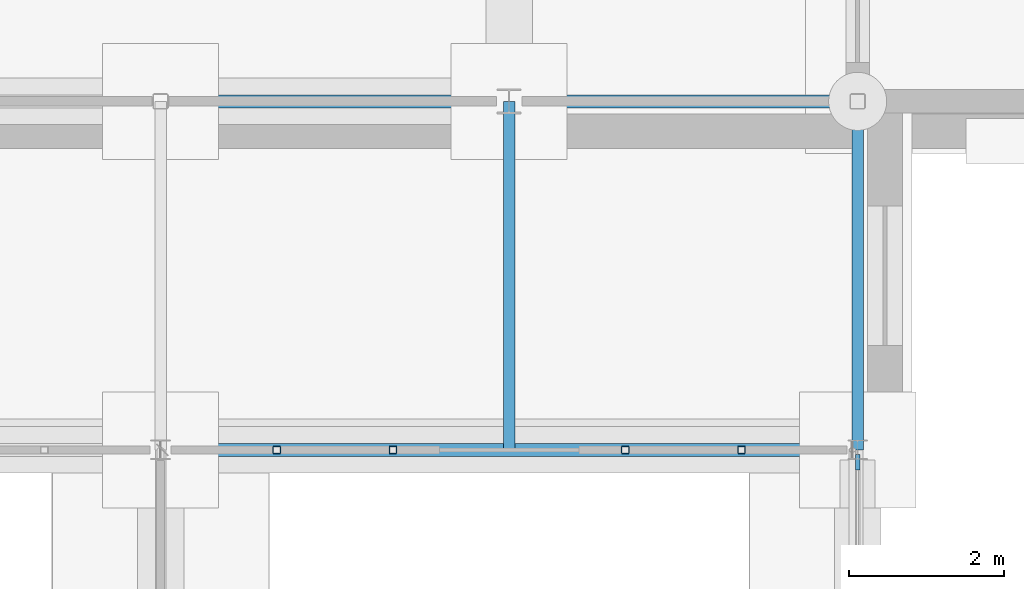
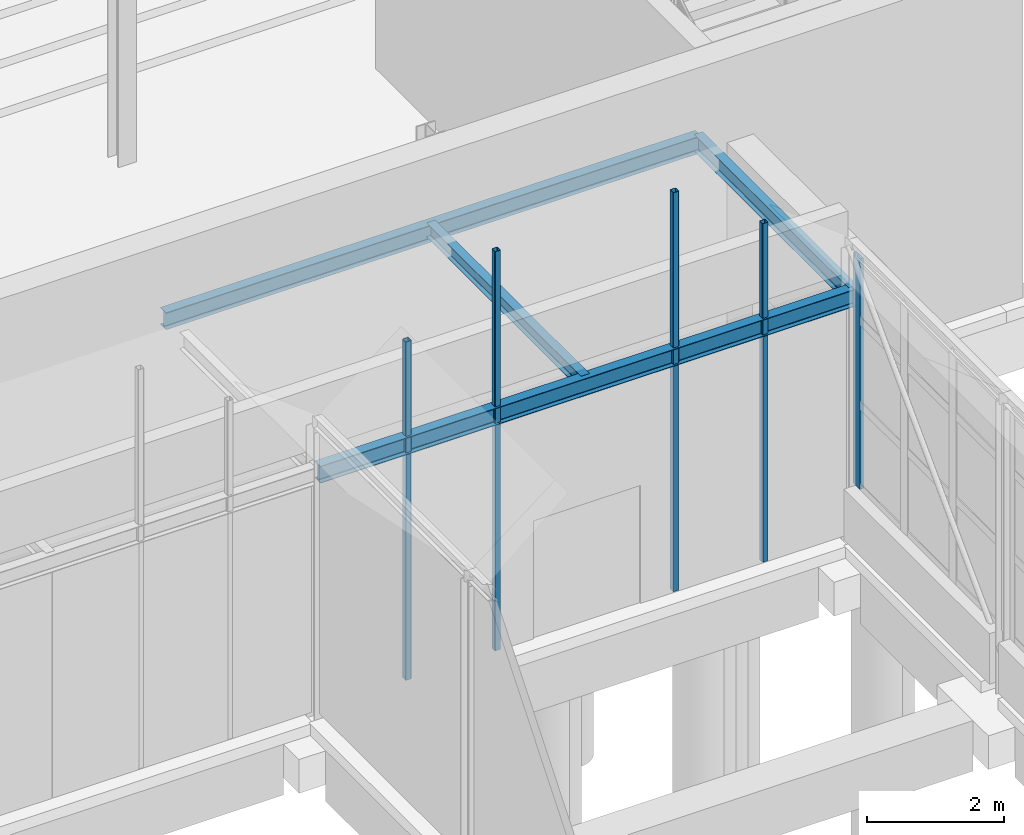
# One storey, part 53 of 106: 5 members, 4 beams, 1 element without a shape of its own.
"""IFC4 building model written with IfcOpenShell, lengths in metres."""

from ifc_helpers import new_model, si_unit, direction, frame, origin, origin_2d, place, context, subcontext, project, spatial, rectangle, hollow_rectangle, i_section, extrude, material, layer, layer_set, material_profile, profile_set, type_object, element, aggregate, save


model = new_model("IFC4")

# Units and contexts
model_context = context("Model", 3, precision=1e-05, world=origin(), true_north=direction((0.0, 1.0)))
body_context = subcontext(model_context, "Body", "Model", "MODEL_VIEW")
ifc_project = project(units=[si_unit("LENGTHUNIT", "METRE"), si_unit("AREAUNIT", "SQUARE_METRE"), si_unit("VOLUMEUNIT", "CUBIC_METRE"), si_unit("PLANEANGLEUNIT", "RADIAN"), si_unit("MASSUNIT", "GRAM", prefix="KILO")], contexts=[model_context])

# Site, building, storey
site_placement = place(None, origin())
site = spatial("IfcSite", under=ifc_project, at=site_placement, CompositionType="ELEMENT")
building_placement = place(site_placement, origin())
building = spatial("IfcBuilding", under=site, at=building_placement, Name="Hortulan Conservatory and Botanical Research Centre", CompositionType="ELEMENT")
storey_placement = place(building_placement, origin())
storey = spatial("IfcBuildingStorey", under=building, at=storey_placement, Name="L00", CompositionType="ELEMENT", Elevation=0.0)

# Curtain wall, member
ifc_material_1 = material(Name="Bronze-finished aluminium", Category="aluminium")
ifc_layer = layer(ifc_material_1, 0.10009765625)
ifc_layer_set = layer_set([ifc_layer], Name="Bronze-framed Curtain Wall 1500 module")
curtain_wall_type = type_object("IfcCurtainWallType", Name="Bronze-framed Curtain Wall 1500 module", PredefinedType="NOTDEFINED", material=ifc_layer_set)
curtain_wall_placement = place(storey_placement, origin())
curtain_wall = element("IfcCurtainWall", 1, at=curtain_wall_placement, inside=storey, type_object=curtain_wall_type, Name="Curtain wall", PredefinedType="NOTDEFINED")
ifc_material_profile_1 = material_profile(ifc_material_1, rectangle(XDim=0.06005859375, YDim=0.199951171875, at=origin_2d()), Name="Bronze Mullion 60x200")
ifc_profile_set_1 = profile_set([ifc_material_profile_1], Name="Bronze-finished aluminium")
member_type_1 = type_object("IfcMemberType", Name="Bronze Mullion 60x200", PredefinedType="MULLION", material=ifc_profile_set_1)
member_1_placement = place(storey_placement, frame((103.5, 31.343017578125, 0.89990234375), z_axis=(0.0, 0.0, 1.0), x_axis=(-1.0, 0.0, 0.0)))
member_1 = element("IfcMember", 2, at=member_1_placement, type_object=member_type_1, Name="CW1 mullion 4", PredefinedType="MULLION", context=body_context, shape_type="SweptSolid", body=[
    extrude(rectangle(XDim=0.06005859375, YDim=0.199951171875, at=origin_2d()), origin(), (0.0, 0.0, 1.0), 4.10009765625),
])
aggregate(curtain_wall, [member_1])

# Members
ifc_material_2 = material(Name="Steel Grade C450L0 (450 MPa, AS/NZS 1163)", Category="steel")
ifc_material_profile_2 = material_profile(ifc_material_2, hollow_rectangle(XDim=0.10009765625, YDim=0.10009765625, WallThickness=0.006103515625, InnerFilletRadius=0.009033203125, OuterFilletRadius=0.014892578125, at=origin_2d()), Name="100x100x6SHS")
ifc_profile_set_2 = profile_set([ifc_material_profile_2], Name="Steel Grade C450L0 (450 MPa, AS/NZS 1163)")
member_type_2 = type_object("IfcMemberType", Name="Climate House Gable Post 100x100x6 SHS", PredefinedType="POST", material=ifc_profile_set_2)
member_2_placement = place(storey_placement, frame((96.0, 31.5, 0.010009765625), z_axis=(0.0, 0.0, 1.0), x_axis=(1.0, 0.0, 0.0)))
element("IfcMember", 3, at=member_2_placement, inside=storey, type_object=member_type_2, Name="Propagation and Quarantine Glasshouse gable post N 1.5", PredefinedType="POST", context=body_context, shape_type="SweptSolid", body=[
    extrude(hollow_rectangle(XDim=0.10009765625, YDim=0.10009765625, WallThickness=0.006103515625, InnerFilletRadius=0.009033203125, OuterFilletRadius=0.014892578125, at=origin_2d()), origin(), (0.0, 0.0, 1.0), 6.0185546875),
])
for number, where, z_axis, x_axis, name in (
    (4, (97.5, 31.5, 0.010009765625), (0.0, 0.0, 1.0), (1.0, 0.0, 0.0), "Propagation and Quarantine Glasshouse gable post N 3"),
    (5, (100.5, 31.5, 0.010009765625), (0.0, 0.0, 1.0), (1.0, 0.0, 0.0), "Propagation and Quarantine Glasshouse gable post N 6"),
):
    element("IfcMember", number, at=place(storey_placement, frame(where, z_axis=z_axis, x_axis=x_axis)), inside=storey, type_object=member_type_2, Name=name, PredefinedType="POST", context=body_context, shape_type="SweptSolid", body=[
        extrude(hollow_rectangle(XDim=0.10009765625, YDim=0.10009765625, WallThickness=0.006103515625, InnerFilletRadius=0.009033203125, OuterFilletRadius=0.014892578125, at=origin_2d()), origin(), (0.0, 0.0, 1.0), 7.098876953125),
    ])
member_3_placement = place(storey_placement, frame((102.0, 31.5, 0.010009765625), z_axis=(0.0, 0.0, 1.0), x_axis=(1.0, 0.0, 0.0)))
element("IfcMember", 6, at=member_3_placement, inside=storey, type_object=member_type_2, Name="Propagation and Quarantine Glasshouse gable post N 7.5", PredefinedType="POST", context=body_context, shape_type="SweptSolid", body=[
    extrude(hollow_rectangle(XDim=0.10009765625, YDim=0.10009765625, WallThickness=0.006103515625, InnerFilletRadius=0.009033203125, OuterFilletRadius=0.014892578125, at=origin_2d()), origin(), (0.0, 0.0, 1.0), 6.0185546875),
])

# Beams
ifc_material_3 = material(Name="Steel Grade 300PLUS (AS/NZS 3679.1, 280 MPa minimum yield)", Category="steel")
ifc_material_profile_3 = material_profile(ifc_material_3, i_section(OverallWidth=0.1650390625, OverallDepth=0.303955078125, WebThickness=0.006103515625, FlangeThickness=0.01025390625, FilletRadius=0.011474609375, at=origin_2d()), Name="310UB40.4")
ifc_profile_set_3 = profile_set([ifc_material_profile_3], Name="Steel Grade 300PLUS (AS/NZS 3679.1, 280 MPa minimum yield)")
beam_type_1 = type_object("IfcBeamType", Name="Gardeners Block Edge Beam 310UB40.4", PredefinedType="BEAM", material=ifc_profile_set_3)
for number, where, z_axis, x_axis, name in (
    (7, (94.5, 36.0, 4.197998046875), (1.0, 0.0, 0.0), (0.0, 1.0, 0.0), "Gardeners block rear beam 3"),
    (8, (94.5, 31.5, 4.197998046875), (1.0, 0.0, 0.0), (0.0, 1.0, 0.0), "Gardeners block front beam 3"),
):
    element("IfcBeam", number, at=place(storey_placement, frame(where, z_axis=z_axis, x_axis=x_axis)), inside=storey, type_object=beam_type_1, Name=name, PredefinedType="BEAM", context=body_context, shape_type="SweptSolid", body=[
        extrude(i_section(OverallWidth=0.1650390625, OverallDepth=0.303955078125, WebThickness=0.006103515625, FlangeThickness=0.01025390625, FilletRadius=0.011474609375, at=origin_2d()), origin(), (0.0, 0.0, 1.0), 9.0),
    ])
ifc_material_profile_4 = material_profile(ifc_material_3, i_section(OverallWidth=0.14892578125, OverallDepth=0.298095703125, WebThickness=0.005615234375, FlangeThickness=0.008056640625, FilletRadius=0.012939453125, at=origin_2d()), Name="310UB32.0")
ifc_profile_set_4 = profile_set([ifc_material_profile_4], Name="Steel Grade 300PLUS (AS/NZS 3679.1, 280 MPa minimum yield)")
beam_type_2 = type_object("IfcBeamType", Name="Gardeners Block Primary Beam 310UB32.0", PredefinedType="BEAM", material=ifc_profile_set_4)
beam_1_placement = place(storey_placement, frame((103.5, 31.5, 4.200927734375), z_axis=(0.0, 1.0, 0.0), x_axis=(-1.0, 0.0, 0.0)))
element("IfcBeam", 9, at=beam_1_placement, inside=storey, type_object=beam_type_2, Name="Gardeners block primary beam 4", PredefinedType="BEAM", context=body_context, shape_type="SweptSolid", body=[
    extrude(i_section(OverallWidth=0.14892578125, OverallDepth=0.298095703125, WebThickness=0.005615234375, FlangeThickness=0.008056640625, FilletRadius=0.012939453125, at=origin_2d()), origin(), (0.0, 0.0, 1.0), 4.5),
])
ifc_material_profile_5 = material_profile(ifc_material_3, i_section(OverallWidth=0.14599609375, OverallDepth=0.251953125, WebThickness=0.006103515625, FlangeThickness=0.008544921875, FilletRadius=0.0087890625, at=origin_2d()), Name="250UB31.4")
ifc_profile_set_5 = profile_set([ifc_material_profile_5], Name="Steel Grade 300PLUS (AS/NZS 3679.1, 280 MPa minimum yield)")
beam_type_3 = type_object("IfcBeamType", Name="Gardeners Block Secondary Beam 250UB31.4", PredefinedType="BEAM", material=ifc_profile_set_5)
beam_2_placement = place(storey_placement, frame((99.0, 31.5, 4.22412109375), z_axis=(0.0, 1.0, 0.0), x_axis=(-1.0, 0.0, 0.0)))
element("IfcBeam", 10, at=beam_2_placement, inside=storey, type_object=beam_type_3, Name="Gardeners block secondary beam 3", PredefinedType="BEAM", context=body_context, shape_type="SweptSolid", body=[
    extrude(i_section(OverallWidth=0.14599609375, OverallDepth=0.251953125, WebThickness=0.006103515625, FlangeThickness=0.008544921875, FilletRadius=0.0087890625, at=origin_2d()), origin(), (0.0, 0.0, 1.0), 4.5),
])

save(model, "model.ifc")
